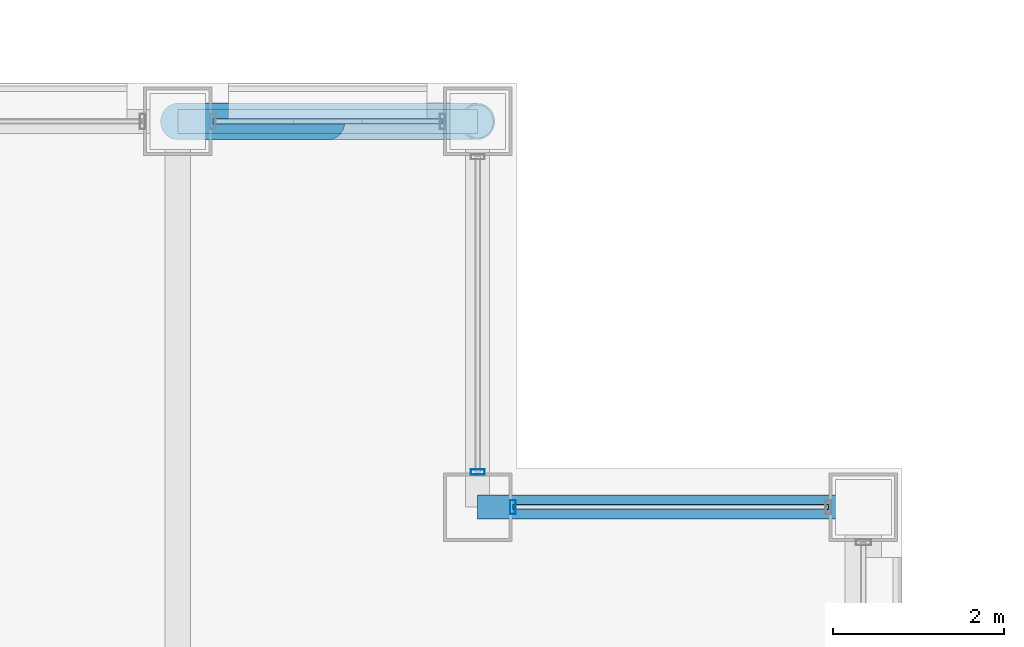
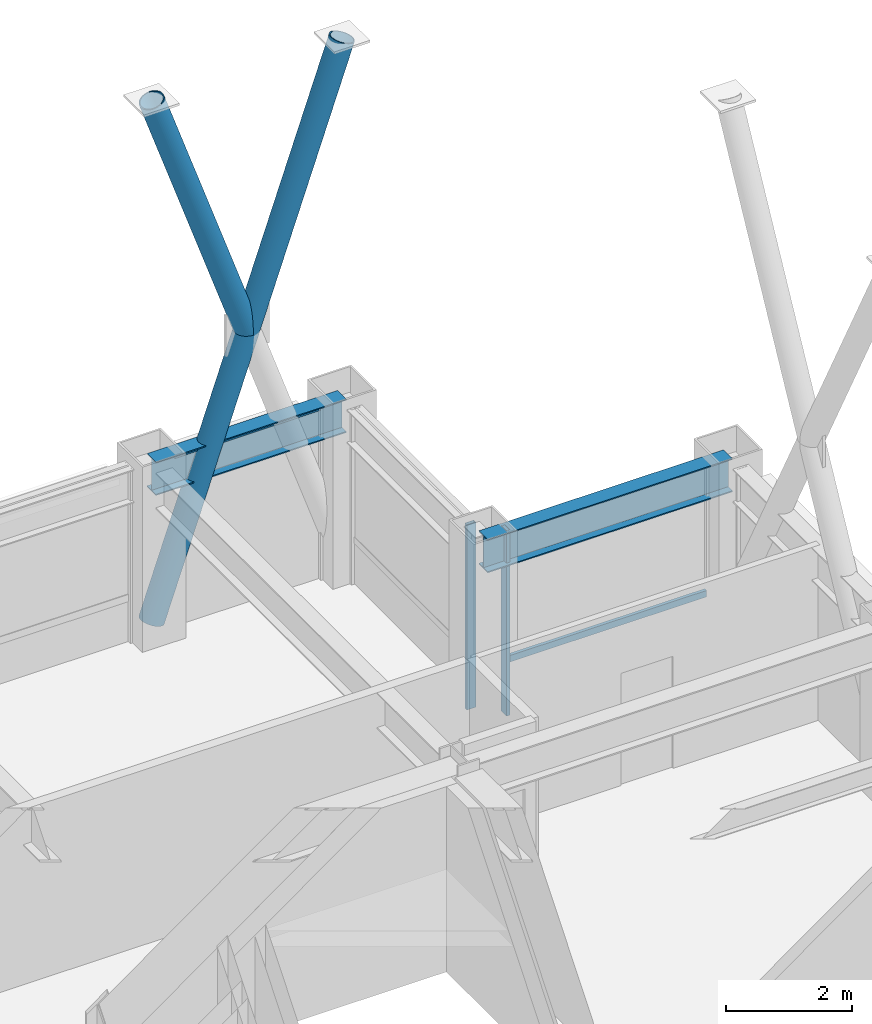
# One storey, part 24 of 35: 6 members, 2 beams, 3 elements without a shape of their own.
"""IFC4 building model written with IfcOpenShell, lengths in metres."""

from ifc_helpers import new_model, si_unit, direction, frame, origin, origin_2d, place, context, subcontext, project, spatial, hollow_rectangle, hollow_circle, i_section, extrude, material, layer, layer_set, material_profile, profile_set, type_object, element, aggregate, save


model = new_model("IFC4")

# Units and contexts
model_context = context("Model", 3, precision=1e-05, world=origin(), true_north=direction((0.0, 1.0)))
body_context = subcontext(model_context, "Body", "Model", "MODEL_VIEW")
ifc_project = project(units=[si_unit("LENGTHUNIT", "METRE"), si_unit("AREAUNIT", "SQUARE_METRE"), si_unit("VOLUMEUNIT", "CUBIC_METRE"), si_unit("PLANEANGLEUNIT", "RADIAN"), si_unit("MASSUNIT", "GRAM", prefix="KILO")], contexts=[model_context])

# Site, building, storey
site_placement = place(None, origin())
site = spatial("IfcSite", under=ifc_project, at=site_placement, CompositionType="ELEMENT")
building_placement = place(site_placement, origin())
building = spatial("IfcBuilding", under=site, at=building_placement, Name="Brelmoor Portico Tower", CompositionType="ELEMENT")
storey_placement = place(building_placement, frame((0.0, 0.0, 131.39990234375)))
storey = spatial("IfcBuildingStorey", under=building, at=storey_placement, Name="L34", CompositionType="ELEMENT", Elevation=131.39990234375)

# Beams
ifc_material_1 = material(Name="Steel Q355B", Category="steel")
ifc_material_profile_1 = material_profile(ifc_material_1, i_section(OverallWidth=0.280029296875, OverallDepth=0.64990234375, WebThickness=0.012939453125, FlangeThickness=0.02197265625, at=origin_2d()), Name="HN 650x280x13x22")
ifc_profile_set_1 = profile_set([ifc_material_profile_1], Name="Steel Q355B")
beam_type = type_object("IfcBeamType", Name="BM-SP-650", PredefinedType="SPANDREL", material=ifc_profile_set_1)
beam_1_placement = place(storey_placement, frame((18.050048828125, 15.050048828125, 3.0751953125), z_axis=(1.0, 0.0, 0.0), x_axis=(0.0, 1.0, 0.0)))
element("IfcBeam", 1, at=beam_1_placement, inside=storey, type_object=beam_type, Name="L34 Perimeter Spandrel Beam SP-09", PredefinedType="SPANDREL", context=body_context, shape_type="SweptSolid", body=[
    extrude(i_section(OverallWidth=0.280029296875, OverallDepth=0.64990234375, WebThickness=0.012939453125, FlangeThickness=0.02197265625, at=origin_2d()), origin(), (0.0, 0.0, 1.0), 4.5),
])
beam_2_placement = place(storey_placement, frame((14.550048828125, 19.550048828125, 3.0751953125), z_axis=(1.0, 0.0, 0.0), x_axis=(0.0, 1.0, 0.0)))
element("IfcBeam", 2, at=beam_2_placement, inside=storey, type_object=beam_type, Name="L34 Perimeter Spandrel Beam SP-14", PredefinedType="SPANDREL", context=body_context, shape_type="SweptSolid", body=[
    extrude(i_section(OverallWidth=0.280029296875, OverallDepth=0.64990234375, WebThickness=0.012939453125, FlangeThickness=0.02197265625, at=origin_2d()), origin(), (0.0, 0.0, 1.0), 3.5),
])

# Members
ifc_material_profile_2 = material_profile(ifc_material_1, hollow_circle(Radius=0.212890625, WallThickness=0.02001953125, at=origin_2d()), Name="CHS 426x20")
ifc_profile_set_2 = profile_set([ifc_material_profile_2], Name="Steel Q355B")
member_type_1 = type_object("IfcMemberType", Name="MB-BELT-DIAG1", PredefinedType="BRACE", material=ifc_profile_set_2)
member_1_placement = place(storey_placement, frame((14.550048828125, 19.550048828125, 0.25), z_axis=(0.327429033028, 0.0, 0.94487577402), x_axis=(0.0, 1.0, 0.0)))
element("IfcMember", 3, at=member_1_placement, inside=storey, type_object=member_type_1, Name="L34 Continuous Mega-X Brace 078A", PredefinedType="BRACE", context=body_context, shape_type="SweptSolid", body=[
    extrude(hollow_circle(Radius=0.212890625, WallThickness=0.02001953125, at=origin_2d()), origin(), (0.0, 0.0, 1.0), 10.689453125),
])
member_2_placement = place(storey_placement, frame((16.300048828125, 19.550048828125, 5.300048828125), z_axis=(-0.327429033028, 0.0, 0.94487577402), x_axis=(0.0, -1.0, 0.0)))
element("IfcMember", 4, at=member_2_placement, inside=storey, type_object=member_type_1, Name="L34 Split Mega-X Brace 078B2", PredefinedType="BRACE", context=body_context, shape_type="SweptSolid", body=[
    extrude(hollow_circle(Radius=0.212890625, WallThickness=0.02001953125, at=origin_2d()), origin(), (0.0, 0.0, 1.0), 5.3447265625),
])

# Curtain wall, member
ifc_material_2 = material(Name="Anodised Aluminium Alloy 6063-T6", Category="aluminium")
ifc_layer_1 = layer(ifc_material_2, 0.179931640625)
ifc_layer_set_1 = layer_set([ifc_layer_1], Name="Anodised Aluminium Alloy 6063-T6")
curtain_wall_type_1 = type_object("IfcCurtainWallType", Name="CW-NOTCH-CHAMFER", PredefinedType="NOTDEFINED", material=ifc_layer_set_1)
curtain_wall_1_placement = place(storey_placement, origin())
curtain_wall_1 = element("IfcCurtainWall", 5, at=curtain_wall_1_placement, inside=storey, type_object=curtain_wall_type_1, Name="L34 Curtain Wall CWN-L34-NEH", PredefinedType="NOTDEFINED")
ifc_material_profile_3 = material_profile(ifc_material_2, hollow_rectangle(XDim=0.06494140625, YDim=0.1650390625, WallThickness=0.00390625, at=origin_2d()), Name="ALU MULLION 65x165")
ifc_profile_set_3 = profile_set([ifc_material_profile_3], Name="Anodised Aluminium Alloy 6063-T6")
member_type_2 = type_object("IfcMemberType", Name="MB-CW-MULL-165", PredefinedType="MULLION", material=ifc_profile_set_3)
member_3_placement = place(storey_placement, frame((18.4599609375, 15.050048828125, -0.199951171875), z_axis=(0.0, 0.0, 1.0), x_axis=(1.0, 0.0, 0.0)))
member_3 = element("IfcMember", 6, at=member_3_placement, type_object=member_type_2, Name="CWN-L34-NEH Mullion 00", PredefinedType="MULLION", context=body_context, shape_type="SweptSolid", body=[
    extrude(hollow_rectangle(XDim=0.06494140625, YDim=0.1650390625, WallThickness=0.00390625, at=origin_2d()), origin(), (0.0, 0.0, 1.0), 3.60009765625),
])

curtain_wall_2_placement = place(storey_placement, origin())
curtain_wall_2 = element("IfcCurtainWall", 7, at=curtain_wall_2_placement, inside=storey, type_object=curtain_wall_type_1, Name="L34 Curtain Wall CWN-L34-NEV", PredefinedType="NOTDEFINED")
member_4_placement = place(storey_placement, frame((18.050048828125, 15.4599609375, -0.199951171875), z_axis=(0.0, 0.0, 1.0), x_axis=(0.0, 1.0, 0.0)))
member_4 = element("IfcMember", 8, at=member_4_placement, type_object=member_type_2, Name="CWN-L34-NEV Mullion 00", PredefinedType="MULLION", context=body_context, shape_type="SweptSolid", body=[
    extrude(hollow_rectangle(XDim=0.06494140625, YDim=0.1650390625, WallThickness=0.00390625, at=origin_2d()), origin(), (0.0, 0.0, 1.0), 3.60009765625),
])
aggregate(curtain_wall_2, [member_4])

# Member
ifc_material_profile_4 = material_profile(ifc_material_2, hollow_rectangle(XDim=0.06005859375, YDim=0.125, WallThickness=0.00341796875, at=origin_2d()), Name="ALU TRANSOM 60x125")
ifc_profile_set_4 = profile_set([ifc_material_profile_4], Name="Anodised Aluminium Alloy 6063-T6")
member_type_3 = type_object("IfcMemberType", Name="MB-CW-TRAN-125", PredefinedType="USERDEFINED", material=ifc_profile_set_4)
member_5_placement = place(storey_placement, frame((18.4599609375, 15.050048828125, 0.85009765625), z_axis=(1.0, 0.0, 0.0), x_axis=(0.0, 1.0, 0.0)))
member_5 = element("IfcMember", 9, at=member_5_placement, type_object=member_type_3, Name="CWN-L34-NEH Transom 1-00", ObjectType="TRANSOM", PredefinedType="USERDEFINED", context=body_context, shape_type="SweptSolid", body=[
    extrude(hollow_rectangle(XDim=0.06005859375, YDim=0.125, WallThickness=0.00341796875, at=origin_2d()), origin(), (0.0, 0.0, 1.0), 3.679931640625),
])

aggregate(curtain_wall_1, [member_3, member_5])

# Curtain wall, member
ifc_layer_2 = layer(ifc_material_2, 0.179931640625)
ifc_layer_set_2 = layer_set([ifc_layer_2], Name="Anodised Aluminium Alloy 6063-T6")
curtain_wall_type_2 = type_object("IfcCurtainWallType", Name="CW-TOWER-Z2-XB", PredefinedType="NOTDEFINED", material=ifc_layer_set_2)
curtain_wall_3_placement = place(storey_placement, origin())
curtain_wall_3 = element("IfcCurtainWall", 10, at=curtain_wall_3_placement, inside=storey, type_object=curtain_wall_type_2, Name="L34 Curtain Wall CW-L34-2R-3", PredefinedType="NOTDEFINED")
ifc_material_profile_5 = material_profile(ifc_material_2, hollow_rectangle(XDim=0.06494140625, YDim=0.139892578125, WallThickness=0.00390625, at=origin_2d()), Name="ALU TRANSOM 65x140")
ifc_profile_set_5 = profile_set([ifc_material_profile_5], Name="Anodised Aluminium Alloy 6063-T6")
member_type_4 = type_object("IfcMemberType", Name="MB-CW-TRAN-140", PredefinedType="USERDEFINED", material=ifc_profile_set_5)
member_6_placement = place(storey_placement, frame((14.9599609375, 19.550048828125, 3.330078125), z_axis=(1.0, 0.0, 0.0), x_axis=(0.0, 1.0, 0.0)))
member_6 = element("IfcMember", 11, at=member_6_placement, type_object=member_type_4, Name="CW-L34-2R-3 Transom 1-00", ObjectType="TRANSOM", PredefinedType="USERDEFINED", context=body_context, shape_type="SweptSolid", body=[
    extrude(hollow_rectangle(XDim=0.06494140625, YDim=0.139892578125, WallThickness=0.00390625, at=origin_2d()), origin(), (0.0, 0.0, 1.0), 2.679931640625),
])
aggregate(curtain_wall_3, [member_6])

save(model, "model.ifc")
